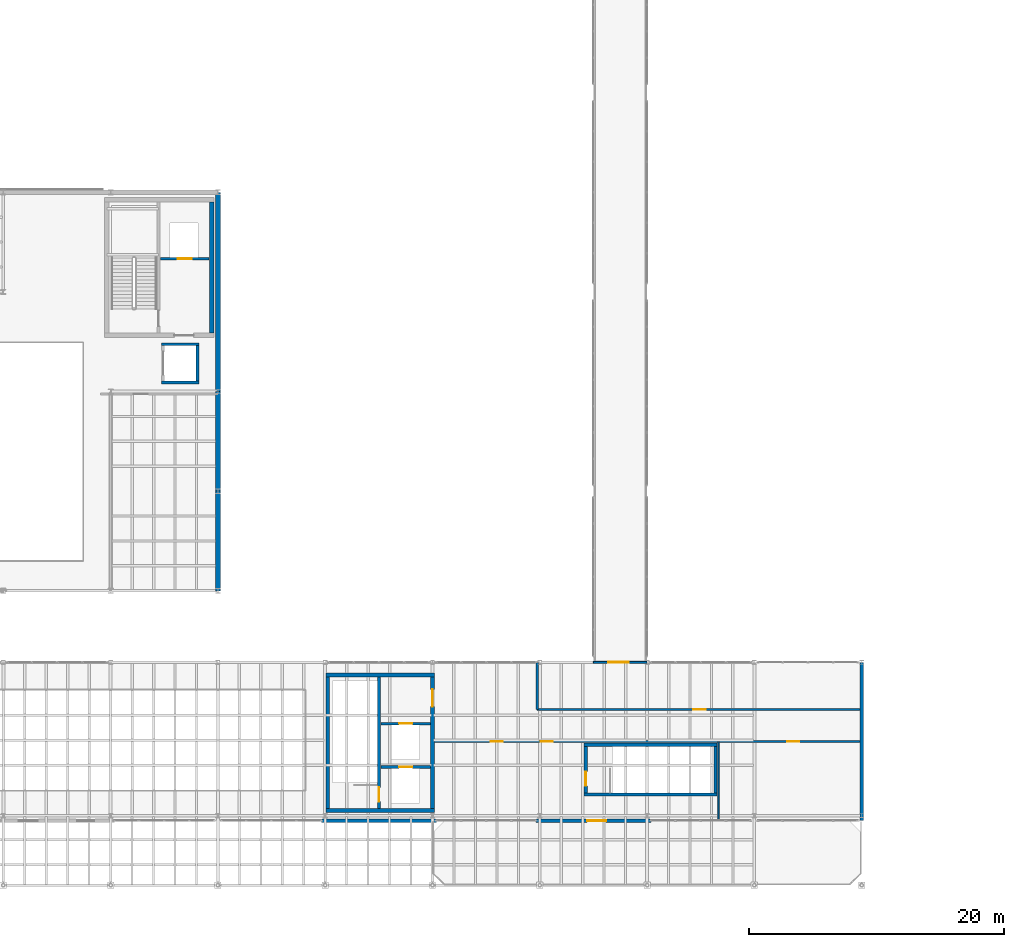
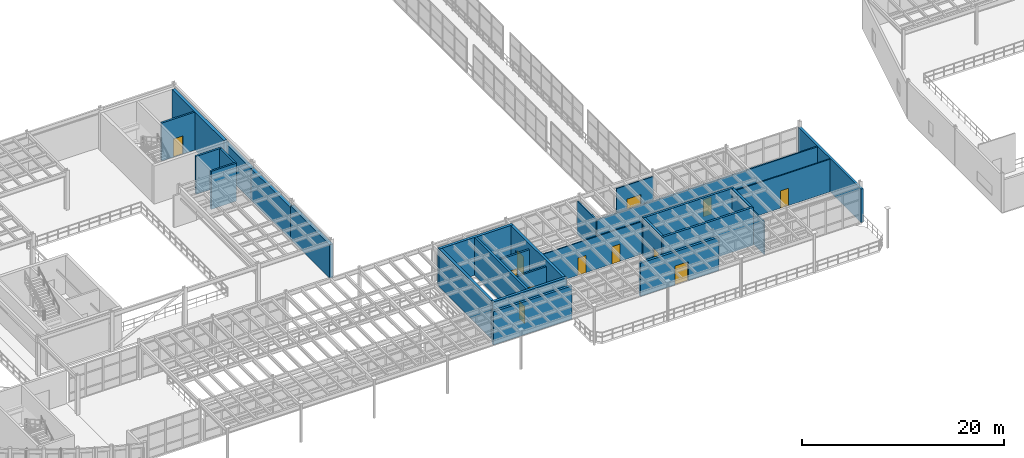
# One storey, part 88 of 105: 27 walls, 12 doors, 12 openings.
"""IFC4 building model written with IfcOpenShell, lengths in metres."""

from ifc_helpers import new_model, si_unit, direction, frame, frame_2d, origin, place, context, subcontext, project, spatial, rectangle, extrude, material, layer, layer_set, type_object, element, fill, save


model = new_model("IFC4")

# Units and contexts
model_context = context("Model", 3, precision=1e-05, world=origin(), true_north=direction((0.0, 1.0)))
body_context = subcontext(model_context, "Body", "Model", "MODEL_VIEW")
ifc_project = project(units=[si_unit("LENGTHUNIT", "METRE"), si_unit("AREAUNIT", "SQUARE_METRE"), si_unit("VOLUMEUNIT", "CUBIC_METRE"), si_unit("PLANEANGLEUNIT", "RADIAN"), si_unit("MASSUNIT", "GRAM", prefix="KILO")], contexts=[model_context])

# Site, building, storey
site_placement = place(None, origin())
site = spatial("IfcSite", under=ifc_project, at=site_placement, CompositionType="ELEMENT")
building_placement = place(site_placement, origin())
building = spatial("IfcBuilding", under=site, at=building_placement, Name="Selat Folded Stagehouse", CompositionType="ELEMENT")
storey_placement = place(building_placement, frame((0.0, 0.0, 10.199951171875)))
storey = spatial("IfcBuildingStorey", under=building, at=storey_placement, Name="L02", CompositionType="ELEMENT", Elevation=10.199951171875)

# Wall, opening, door
ifc_material_1 = material(Name="Concrete C40/50", Category="concrete")
ifc_layer_1 = layer(ifc_material_1, 0.215087890625)
ifc_layer_set_1 = layer_set([ifc_layer_1], Name="Concrete C40/50")
wall_type_1 = type_object("IfcWallType", Name="WAL-COMP-215", PredefinedType="STANDARD", material=ifc_layer_set_1)
wall_1_placement = place(storey_placement, frame((62.7099609375, 49.39990234375, 0.0), z_axis=(0.0, 0.0, 1.0), x_axis=(1.0, 0.0, 0.0)))
wall_1 = element("IfcWall", 1, at=wall_1_placement, inside=storey, type_object=wall_type_1, Name="L02 FL-02 lift shaft front wall", PredefinedType="STANDARD", context=body_context, shape_type="SweptSolid", body=[
    extrude(rectangle(XDim=3.794921875, YDim=0.215087890625, at=frame_2d((1.8974609375, 0.0))), origin(), (0.0, 0.0, 1.0), 4.592041015625),
])
opening_1_placement = place(wall_1_placement, frame((1.347412109375, 0.0, 0.0)))
opening_1 = element("IfcOpeningElement", 2, at=opening_1_placement, cuts=wall_1, Name="Opening LD-01", PredefinedType="OPENING", context=body_context, shape_type="SweptSolid", body=[
    extrude(rectangle(XDim=1.10009765625, YDim=2.199951171875, at=frame_2d((0.550048828125, 1.10009765625))), frame((0.0, 0.117431640625, 0.0), z_axis=(0.0, -1.0, 0.0), x_axis=(1.0, 0.0, 0.0)), (0.0, 0.0, 1.0), 0.235107421875),
])
ifc_material_2 = material(Name="Firefighting lift stainless sliding landing door", Category="wood")
door_type_1 = type_object("IfcDoorType", Name="DOR-LFT-1100", OperationType="NOTDEFINED", PredefinedType="DOOR", material=ifc_material_2)
door_1_placement = place(opening_1_placement, origin())
door_1 = element("IfcDoor", 3, at=door_1_placement, inside=storey, type_object=door_type_1, Name="L02 FL-02 lift sliding landing door", OperationType="SLIDING_TO_RIGHT", OverallHeight=2.199951171875, OverallWidth=1.10009765625, PredefinedType="DOOR", context=body_context, shape_type="SweptSolid", body=[
    extrude(rectangle(XDim=1.10009765625, YDim=2.199951171875, at=frame_2d((0.550048828125, 1.10009765625))), frame((0.0, 0.02490234375, 0.0), z_axis=(0.0, -1.0, 0.0), x_axis=(1.0, 0.0, 0.0)), (0.0, 0.0, 1.0), 0.050048828125),
])
fill(opening_1, door_1)

# Walls
for number, where, z_axis, x_axis, name in (
    (4, (65.70751953125, 39.699951171875, 0.0), (0.0, 0.0, 1.0), (-1.0, 0.0, 0.0), "L02 GL-01 south shaft wall"),
    (5, (62.79248046875, 42.699951171875, 0.0), (0.0, 0.0, 1.0), (1.0, 0.0, 0.0), "L02 GL-01 north shaft wall"),
):
    element("IfcWall", number, at=place(storey_placement, frame(where, z_axis=z_axis, x_axis=x_axis)), inside=storey, type_object=wall_type_1, Name=name, PredefinedType="STANDARD", context=body_context, shape_type="SweptSolid", body=[
        extrude(rectangle(XDim=2.9150390625, YDim=0.215087890625, at=frame_2d((1.45751953125, 0.0))), origin(), (0.0, 0.0, 1.0), 4.592041015625),
    ])
wall_2_placement = place(storey_placement, frame((65.60009765625, 42.592529296875, 0.0), z_axis=(0.0, 0.0, 1.0), x_axis=(0.0, -1.0, 0.0)))
element("IfcWall", 6, at=wall_2_placement, inside=storey, type_object=wall_type_1, Name="L02 GL-01 east shaft wall", PredefinedType="STANDARD", context=body_context, shape_type="SweptSolid", body=[
    extrude(rectangle(XDim=2.784912109375, YDim=0.215087890625, at=frame_2d((1.392578125, 0.0))), origin(), (0.0, 0.0, 1.0), 4.592041015625),
])

# Wall, opening, door
wall_3_placement = place(storey_placement, frame((79.97998046875, 9.60009765625, 0.0), z_axis=(0.0, 0.0, 1.0), x_axis=(1.0, 0.0, 0.0)))
wall_3 = element("IfcWall", 7, at=wall_3_placement, inside=storey, type_object=wall_type_1, Name="L02 PL-01 lift shaft front wall", PredefinedType="STANDARD", context=body_context, shape_type="SweptSolid", body=[
    extrude(rectangle(XDim=3.85009765625, YDim=0.215087890625, at=frame_2d((1.925048828125, 0.0))), origin(), (0.0, 0.0, 1.0), 3.949951171875),
])
opening_2_placement = place(wall_3_placement, frame((1.39990234375, 0.0, 0.0)))
opening_2 = element("IfcOpeningElement", 8, at=opening_2_placement, cuts=wall_3, Name="Opening LD-03", PredefinedType="OPENING", context=body_context, shape_type="SweptSolid", body=[
    extrude(rectangle(XDim=1.050048828125, YDim=2.14990234375, at=frame_2d((0.52490234375, 1.074951171875))), frame((0.0, 0.117431640625, 0.0), z_axis=(0.0, -1.0, 0.0), x_axis=(1.0, 0.0, 0.0)), (0.0, 0.0, 1.0), 0.235107421875),
])
ifc_material_3 = material(Name="Passenger lift stainless sliding landing door", Category="wood")
door_type_2 = type_object("IfcDoorType", Name="DOR-LFT-1050", OperationType="NOTDEFINED", PredefinedType="DOOR", material=ifc_material_3)
door_2_placement = place(opening_2_placement, origin())
door_2 = element("IfcDoor", 9, at=door_2_placement, inside=storey, type_object=door_type_2, Name="L02 PL-01 lift sliding landing door", OperationType="SLIDING_TO_LEFT", OverallHeight=2.14990234375, OverallWidth=1.050048828125, PredefinedType="DOOR", context=body_context, shape_type="SweptSolid", body=[
    extrude(rectangle(XDim=1.050048828125, YDim=2.14990234375, at=frame_2d((0.52490234375, 1.074951171875))), frame((0.0, 0.02490234375, 0.0), z_axis=(0.0, -1.0, 0.0), x_axis=(1.0, 0.0, 0.0)), (0.0, 0.0, 1.0), 0.050048828125),
])
fill(opening_2, door_2)

wall_4_placement = place(storey_placement, frame((79.97998046875, 13.0, 0.0), z_axis=(0.0, 0.0, 1.0), x_axis=(1.0, 0.0, 0.0)))
wall_4 = element("IfcWall", 10, at=wall_4_placement, inside=storey, type_object=wall_type_1, Name="L02 PL-02 lift shaft front wall", PredefinedType="STANDARD", context=body_context, shape_type="SweptSolid", body=[
    extrude(rectangle(XDim=3.85009765625, YDim=0.215087890625, at=frame_2d((1.925048828125, 0.0))), origin(), (0.0, 0.0, 1.0), 3.949951171875),
])
opening_3_placement = place(wall_4_placement, frame((1.39990234375, 0.0, 0.0)))
opening_3 = element("IfcOpeningElement", 11, at=opening_3_placement, cuts=wall_4, Name="Opening LD-03", PredefinedType="OPENING", context=body_context, shape_type="SweptSolid", body=[
    extrude(rectangle(XDim=1.050048828125, YDim=2.14990234375, at=frame_2d((0.52490234375, 1.074951171875))), frame((0.0, 0.117431640625, 0.0), z_axis=(0.0, -1.0, 0.0), x_axis=(1.0, 0.0, 0.0)), (0.0, 0.0, 1.0), 0.235107421875),
])
door_3_placement = place(opening_3_placement, origin())
door_3 = element("IfcDoor", 12, at=door_3_placement, inside=storey, type_object=door_type_2, Name="L02 PL-02 lift sliding landing door", OperationType="SLIDING_TO_RIGHT", OverallHeight=2.14990234375, OverallWidth=1.050048828125, PredefinedType="DOOR", context=body_context, shape_type="SweptSolid", body=[
    extrude(rectangle(XDim=1.050048828125, YDim=2.14990234375, at=frame_2d((0.52490234375, 1.074951171875))), frame((0.0, 0.02490234375, 0.0), z_axis=(0.0, -1.0, 0.0), x_axis=(1.0, 0.0, 0.0)), (0.0, 0.0, 1.0), 0.050048828125),
])
fill(opening_3, door_3)

# Walls
ifc_material_4 = material(Name="Concrete C50/60", Category="concrete")
ifc_layer_2 = layer(ifc_material_4, 0.25)
ifc_layer_set_2 = layer_set([ifc_layer_2], Name="Concrete C50/60")
wall_type_2 = type_object("IfcWallType", Name="WAL-CORE-250", PredefinedType="SHEAR", material=ifc_layer_set_2)
for number, where, z_axis, x_axis, name in (
    (13, (106.284912109375, 7.4599609375, 0.0), (0.0, 0.0, 1.0), (-1.0, 0.0, 0.0), "L02 ST-08 south shaft wall"),
    (14, (95.875, 11.340087890625, 0.0), (0.0, 0.0, 1.0), (1.0, 0.0, 0.0), "L02 ST-08 north shaft wall"),
):
    element("IfcWall", number, at=place(storey_placement, frame(where, z_axis=z_axis, x_axis=x_axis)), inside=storey, type_object=wall_type_2, Name=name, PredefinedType="SHEAR", context=body_context, shape_type="SweptSolid", body=[
        extrude(rectangle(XDim=10.409912109375, YDim=0.25, at=frame_2d((5.205078125, 0.0))), origin(), (0.0, 0.0, 1.0), 4.60009765625),
    ])

# Wall, opening, door
wall_5_placement = place(storey_placement, frame((96.0, 7.5849609375, 0.0), z_axis=(0.0, 0.0, 1.0), x_axis=(0.0, 1.0, 0.0)))
wall_5 = element("IfcWall", 15, at=wall_5_placement, inside=storey, type_object=wall_type_2, Name="L02 ST-08 west shaft wall", PredefinedType="SHEAR", context=body_context, shape_type="SweptSolid", body=[
    extrude(rectangle(XDim=3.630126953125, YDim=0.25, at=frame_2d((1.81494140625, 0.0))), origin(), (0.0, 0.0, 1.0), 4.60009765625),
])
opening_4_placement = place(wall_5_placement, frame((0.550048828125, 0.0, 0.0)))
opening_4 = element("IfcOpeningElement", 16, at=opening_4_placement, cuts=wall_5, Name="Opening FD-60", PredefinedType="OPENING", context=body_context, shape_type="SweptSolid", body=[
    extrude(rectangle(XDim=1.10009765625, YDim=2.14990234375, at=frame_2d((0.550048828125, 1.074951171875))), frame((0.0, 0.135009765625, 0.0), z_axis=(0.0, -1.0, 0.0), x_axis=(1.0, 0.0, 0.0)), (0.0, 0.0, 1.0), 0.27001953125),
])
ifc_material_5 = material(Name="Fire-rated timber core door", Category="wood")
door_type_3 = type_object("IfcDoorType", Name="DOR-FIRE-60", OperationType="NOTDEFINED", PredefinedType="DOOR", material=ifc_material_5)
door_4_placement = place(opening_4_placement, origin())
door_4 = element("IfcDoor", 17, at=door_4_placement, inside=storey, type_object=door_type_3, Name="L02 ST-08 stair door", OperationType="SINGLE_SWING_RIGHT", OverallHeight=2.14990234375, OverallWidth=1.10009765625, PredefinedType="DOOR", context=body_context, shape_type="SweptSolid", body=[
    extrude(rectangle(XDim=1.10009765625, YDim=2.14990234375, at=frame_2d((0.550048828125, 1.074951171875))), frame((0.0, 0.02490234375, 0.0), z_axis=(0.0, -1.0, 0.0), x_axis=(1.0, 0.0, 0.0)), (0.0, 0.0, 1.0), 0.050048828125),
])
fill(opening_4, door_4)

# Wall
wall_6_placement = place(storey_placement, frame((106.159912109375, 11.215087890625, 0.0), z_axis=(0.0, 0.0, 1.0), x_axis=(0.0, -1.0, 0.0)))
element("IfcWall", 18, at=wall_6_placement, inside=storey, type_object=wall_type_2, Name="L02 ST-08 east shaft wall", PredefinedType="SHEAR", context=body_context, shape_type="SweptSolid", body=[
    extrude(rectangle(XDim=3.630126953125, YDim=0.25, at=frame_2d((1.81494140625, 0.0))), origin(), (0.0, 0.0, 1.0), 4.60009765625),
])

# Wall, opening, door
wall_7_placement = place(storey_placement, frame((79.820068359375, 16.64990234375, 0.0), z_axis=(0.0, 0.0, 1.0), x_axis=(0.0, -1.0, 0.0)))
wall_7 = element("IfcWall", 19, at=wall_7_placement, inside=storey, type_object=wall_type_2, Name="L02 CR-3 internal core divider wall", PredefinedType="SHEAR", context=body_context, shape_type="SweptSolid", body=[
    extrude(rectangle(XDim=10.2998046875, YDim=0.25, at=frame_2d((5.14990234375, 0.0))), origin(), (0.0, 0.0, 1.0), 4.60009765625),
])
opening_5_placement = place(wall_7_placement, frame((8.64990234375, 0.0, 0.0)))
opening_5 = element("IfcOpeningElement", 20, at=opening_5_placement, cuts=wall_7, Name="Opening FD-60", PredefinedType="OPENING", context=body_context, shape_type="SweptSolid", body=[
    extrude(rectangle(XDim=1.10009765625, YDim=2.14990234375, at=frame_2d((0.550048828125, 1.074951171875))), frame((0.0, 0.135009765625, 0.0), z_axis=(0.0, -1.0, 0.0), x_axis=(1.0, 0.0, 0.0)), (0.0, 0.0, 1.0), 0.27001953125),
])
door_5_placement = place(opening_5_placement, origin())
door_5 = element("IfcDoor", 21, at=door_5_placement, inside=storey, type_object=door_type_3, Name="L02 CR-3 protected stair fire door", OperationType="SINGLE_SWING_LEFT", OverallHeight=2.14990234375, OverallWidth=1.10009765625, PredefinedType="DOOR", context=body_context, shape_type="SweptSolid", body=[
    extrude(rectangle(XDim=1.10009765625, YDim=2.14990234375, at=frame_2d((0.550048828125, 1.074951171875))), frame((0.0, 0.02490234375, 0.0), z_axis=(0.0, -1.0, 0.0), x_axis=(1.0, 0.0, 0.0)), (0.0, 0.0, 1.0), 0.050048828125),
])
fill(opening_5, door_5)

# Wall
ifc_material_6 = material(Name="Precast concrete C40/50", Category="concrete")
ifc_layer_3 = layer(ifc_material_6, 0.27490234375)
ifc_layer_set_3 = layer_set([ifc_layer_3], Name="Precast concrete C40/50")
wall_type_3 = type_object("IfcWallType", Name="WAL-EXT-275", PredefinedType="STANDARD", material=ifc_layer_set_3)
wall_8_placement = place(storey_placement, frame((84.300048828125, 5.39990234375, 0.0), z_axis=(0.0, 0.0, 1.0), x_axis=(-1.0, 0.0, 0.0)))
element("IfcWall", 22, at=wall_8_placement, inside=storey, type_object=wall_type_3, Name="L02 exterior facade wall EW-L02-FYR-S2", PredefinedType="STANDARD", context=body_context, shape_type="SweptSolid", body=[
    extrude(rectangle(XDim=9.0, YDim=0.27490234375, at=frame_2d((4.5, 0.0))), origin(), (0.0, 0.0, 1.0), 4.027587890625),
])

# Wall, opening, door
wall_9_placement = place(storey_placement, frame((101.10009765625, 5.39990234375, 0.0), z_axis=(0.0, 0.0, 1.0), x_axis=(-1.0, 0.0, 0.0)))
wall_9 = element("IfcWall", 23, at=wall_9_placement, inside=storey, type_object=wall_type_3, Name="L02 exterior facade wall EW-L02-TERR-DR", PredefinedType="STANDARD", context=body_context, shape_type="SweptSolid", body=[
    extrude(rectangle(XDim=9.0, YDim=0.27490234375, at=frame_2d((4.5, 0.0))), origin(), (0.0, 0.0, 1.0), 4.027587890625),
])
opening_6_placement = place(wall_9_placement, frame((3.5, 0.0, 0.0)))
opening_6 = element("IfcOpeningElement", 24, at=opening_6_placement, cuts=wall_9, Name="Opening ED-06", PredefinedType="OPENING", context=body_context, shape_type="SweptSolid", body=[
    extrude(rectangle(XDim=1.5, YDim=2.300048828125, at=frame_2d((0.75, 1.14990234375))), frame((0.0, 0.1474609375, 0.0), z_axis=(0.0, -1.0, 0.0), x_axis=(1.0, 0.0, 0.0)), (0.0, 0.0, 1.0), 0.294921875),
])
ifc_material_7 = material(Name="Powder-coated steel and laminated safety glass", Category="steel")
door_type_4 = type_object("IfcDoorType", Name="DOR-EXT-1500x2300", OperationType="NOTDEFINED", PredefinedType="DOOR", material=ifc_material_7)
door_6_placement = place(opening_6_placement, origin())
door_6 = element("IfcDoor", 25, at=door_6_placement, inside=storey, type_object=door_type_4, Name="L02 exterior door EW-L02-TERR-DR-1", OperationType="SINGLE_SWING_LEFT", OverallHeight=2.300048828125, OverallWidth=1.5, PredefinedType="DOOR", context=body_context, shape_type="SweptSolid", body=[
    extrude(rectangle(XDim=1.5, YDim=2.300048828125, at=frame_2d((0.75, 1.14990234375))), frame((0.0, 0.02490234375, 0.0), z_axis=(0.0, -1.0, 0.0), x_axis=(1.0, 0.0, 0.0)), (0.0, 0.0, 1.0), 0.050048828125),
])
fill(opening_6, door_6)

# Walls
wall_10_placement = place(storey_placement, frame((117.60009765625, 17.800048828125, 0.0), z_axis=(0.0, 0.0, 1.0), x_axis=(0.0, -1.0, 0.0)))
element("IfcWall", 26, at=wall_10_placement, inside=storey, type_object=wall_type_3, Name="L02 exterior facade wall EW-L02-FYR-E", PredefinedType="STANDARD", context=body_context, shape_type="SweptSolid", body=[
    extrude(rectangle(XDim=12.400146484375, YDim=0.27490234375, at=frame_2d((6.2001953125, 0.0))), origin(), (0.0, 0.0, 1.0), 4.033935546875),
])
ifc_layer_4 = layer(ifc_material_6, 0.3798828125)
ifc_layer_set_4 = layer_set([ifc_layer_4], Name="Precast concrete C40/50")
wall_type_4 = type_object("IfcWallType", Name="WAL-EXT-380", PredefinedType="STANDARD", material=ifc_layer_set_4)
wall_11_placement = place(storey_placement, frame((67.199951171875, 54.60009765625, 0.0), z_axis=(0.0, 0.0, 1.0), x_axis=(0.0, -1.0, 0.0)))
element("IfcWall", 27, at=wall_11_placement, inside=storey, type_object=wall_type_4, Name="L02 exterior facade wall EW-L02-V2E-39", PredefinedType="STANDARD", context=body_context, shape_type="SweptSolid", body=[
    extrude(rectangle(XDim=15.60009765625, YDim=0.3798828125, at=frame_2d((7.800048828125, 0.0))), origin(), (0.0, 0.0, 1.0), 3.822265625),
])
wall_12_placement = place(storey_placement, frame((67.199951171875, 39.0, 0.0), z_axis=(0.0, 0.0, 1.0), x_axis=(0.0, -1.0, 0.0)))
element("IfcWall", 28, at=wall_12_placement, inside=storey, type_object=wall_type_4, Name="L02 exterior facade wall EW-L02-V2E-31", PredefinedType="STANDARD", context=body_context, shape_type="SweptSolid", body=[
    extrude(rectangle(XDim=7.800048828125, YDim=0.3798828125, at=frame_2d((3.89990234375, 0.0))), origin(), (0.0, 0.0, 1.0), 3.822265625),
])
wall_13_placement = place(storey_placement, frame((67.199951171875, 31.199951171875, 0.0), z_axis=(0.0, 0.0, 1.0), x_axis=(0.0, -1.0, 0.0)))
element("IfcWall", 29, at=wall_13_placement, inside=storey, type_object=wall_type_4, Name="L02 exterior facade wall EW-L02-V2E-23", PredefinedType="STANDARD", context=body_context, shape_type="SweptSolid", body=[
    extrude(rectangle(XDim=7.800048828125, YDim=0.3798828125, at=frame_2d((3.89990234375, 0.0))), origin(), (0.0, 0.0, 1.0), 4.052734375),
])
ifc_material_8 = material(Name="Standard acoustic drywall partition", Category="gypsum")
ifc_layer_5 = layer(ifc_material_8, 0.125)
ifc_layer_set_5 = layer_set([ifc_layer_5], Name="Standard acoustic drywall partition")
wall_type_5 = type_object("IfcWallType", Name="WAL-PART-125", PredefinedType="PARTITIONING", material=ifc_layer_set_5)
wall_14_placement = place(storey_placement, frame((106.39990234375, 5.39990234375, 0.0), z_axis=(0.0, 0.0, 1.0), x_axis=(0.0, 1.0, 0.0)))
element("IfcWall", 30, at=wall_14_placement, inside=storey, type_object=wall_type_5, Name="L02 interior partition wall 071", PredefinedType="PARTITIONING", context=body_context, shape_type="SweptSolid", body=[
    extrude(rectangle(XDim=6.2001953125, YDim=0.125, at=frame_2d((3.10009765625, 0.0))), origin(), (0.0, 0.0, 1.0), 4.033935546875),
])

# Wall, openings, doors
wall_15_placement = place(storey_placement, frame((84.0, 11.60009765625, 0.0), z_axis=(0.0, 0.0, 1.0), x_axis=(1.0, 0.0, 0.0)))
wall_15 = element("IfcWall", 31, at=wall_15_placement, inside=storey, type_object=wall_type_5, Name="L02 interior partition wall 072", PredefinedType="PARTITIONING", context=body_context, shape_type="SweptSolid", body=[
    extrude(rectangle(XDim=33.60009765625, YDim=0.125, at=frame_2d((16.800048828125, 0.0))), origin(), (0.0, 0.0, 1.0), 3.949951171875),
])
opening_7_placement = place(wall_15_placement, frame((4.572509765625, 0.0, 0.0)))
opening_7 = element("IfcOpeningElement", 32, at=opening_7_placement, cuts=wall_15, Name="Opening ID-03", PredefinedType="OPENING", context=body_context, shape_type="SweptSolid", body=[
    extrude(rectangle(XDim=0.93994140625, YDim=2.10009765625, at=frame_2d((0.469970703125, 1.050048828125))), frame((0.0, 0.072509765625, 0.0), z_axis=(0.0, -1.0, 0.0), x_axis=(1.0, 0.0, 0.0)), (0.0, 0.0, 1.0), 0.14501953125),
])
opening_8_placement = place(wall_15_placement, frame((8.49169921875, 0.0, 0.0)))
opening_8 = element("IfcOpeningElement", 33, at=opening_8_placement, cuts=wall_15, Name="Opening ID-03", PredefinedType="OPENING", context=body_context, shape_type="SweptSolid", body=[
    extrude(rectangle(XDim=0.93994140625, YDim=2.10009765625, at=frame_2d((0.469970703125, 1.050048828125))), frame((0.0, 0.072509765625, 0.0), z_axis=(0.0, -1.0, 0.0), x_axis=(1.0, 0.0, 0.0)), (0.0, 0.0, 1.0), 0.14501953125),
])
opening_9_placement = place(wall_15_placement, frame((27.760986328125, 0.0, 0.0)))
opening_9 = element("IfcOpeningElement", 34, at=opening_9_placement, cuts=wall_15, Name="Opening ID-03", PredefinedType="OPENING", context=body_context, shape_type="SweptSolid", body=[
    extrude(rectangle(XDim=0.93994140625, YDim=2.10009765625, at=frame_2d((0.469970703125, 1.050048828125))), frame((0.0, 0.072509765625, 0.0), z_axis=(0.0, -1.0, 0.0), x_axis=(1.0, 0.0, 0.0)), (0.0, 0.0, 1.0), 0.14501953125),
])
ifc_material_9 = material(Name="Backstage room single door", Category="wood")
door_type_5 = type_object("IfcDoorType", Name="DOR-GEN-0940", OperationType="NOTDEFINED", PredefinedType="DOOR", material=ifc_material_9)
door_7_placement = place(opening_7_placement, origin())
door_7 = element("IfcDoor", 35, at=door_7_placement, inside=storey, type_object=door_type_5, Name="L02 interior door IWAL-L02-072-1", OperationType="SINGLE_SWING_RIGHT", OverallHeight=2.10009765625, OverallWidth=0.93994140625, PredefinedType="DOOR", context=body_context, shape_type="SweptSolid", body=[
    extrude(rectangle(XDim=0.93994140625, YDim=2.10009765625, at=frame_2d((0.469970703125, 1.050048828125))), frame((0.0, 0.02490234375, 0.0), z_axis=(0.0, -1.0, 0.0), x_axis=(1.0, 0.0, 0.0)), (0.0, 0.0, 1.0), 0.050048828125),
])
fill(opening_7, door_7)
door_8_placement = place(opening_8_placement, origin())
door_8 = element("IfcDoor", 36, at=door_8_placement, inside=storey, type_object=door_type_5, Name="L02 interior door IWAL-L02-072-2", OperationType="SINGLE_SWING_LEFT", OverallHeight=2.10009765625, OverallWidth=0.93994140625, PredefinedType="DOOR", context=body_context, shape_type="SweptSolid", body=[
    extrude(rectangle(XDim=0.93994140625, YDim=2.10009765625, at=frame_2d((0.469970703125, 1.050048828125))), frame((0.0, 0.02490234375, 0.0), z_axis=(0.0, -1.0, 0.0), x_axis=(1.0, 0.0, 0.0)), (0.0, 0.0, 1.0), 0.050048828125),
])
fill(opening_8, door_8)
door_9_placement = place(opening_9_placement, origin())
door_9 = element("IfcDoor", 37, at=door_9_placement, inside=storey, type_object=door_type_5, Name="L02 interior door IWAL-L02-072-3", OperationType="SINGLE_SWING_RIGHT", OverallHeight=2.10009765625, OverallWidth=0.93994140625, PredefinedType="DOOR", context=body_context, shape_type="SweptSolid", body=[
    extrude(rectangle(XDim=0.93994140625, YDim=2.10009765625, at=frame_2d((0.469970703125, 1.050048828125))), frame((0.0, 0.02490234375, 0.0), z_axis=(0.0, -1.0, 0.0), x_axis=(1.0, 0.0, 0.0)), (0.0, 0.0, 1.0), 0.050048828125),
])
fill(opening_9, door_9)

# Wall, opening, door
ifc_material_10 = material(Name="Fire-rated drywall stud partition", Category="gypsum")
ifc_layer_6 = layer(ifc_material_10, 0.14990234375)
ifc_layer_set_6 = layer_set([ifc_layer_6], Name="Fire-rated drywall stud partition")
wall_type_6 = type_object("IfcWallType", Name="WAL-PART-150", PredefinedType="PARTITIONING", material=ifc_layer_set_6)
wall_16_placement = place(storey_placement, frame((96.60009765625, 17.800048828125, 0.0), z_axis=(0.0, 0.0, 1.0), x_axis=(1.0, 0.0, 0.0)))
wall_16 = element("IfcWall", 38, at=wall_16_placement, inside=storey, type_object=wall_type_6, Name="L02 interior partition wall 069", PredefinedType="PARTITIONING", context=body_context, shape_type="SweptSolid", body=[
    extrude(rectangle(XDim=4.199951171875, YDim=0.14990234375, at=frame_2d((2.10009765625, 0.0))), origin(), (0.0, 0.0, 1.0), 3.949951171875),
])
opening_10_placement = place(wall_16_placement, frame((1.169921875, 0.0, 0.0)))
opening_10 = element("IfcOpeningElement", 39, at=opening_10_placement, cuts=wall_16, Name="Opening RD-01", PredefinedType="OPENING", context=body_context, shape_type="SweptSolid", body=[
    extrude(rectangle(XDim=1.60009765625, YDim=2.25, at=frame_2d((0.800048828125, 1.125))), frame((0.0, 0.0849609375, 0.0), z_axis=(0.0, -1.0, 0.0), x_axis=(1.0, 0.0, 0.0)), (0.0, 0.0, 1.0), 0.169921875),
])
ifc_material_11 = material(Name="Rehearsal studio acoustic leaf-and-half door", Category="wood")
door_type_6 = type_object("IfcDoorType", Name="DOR-REH-1600", OperationType="NOTDEFINED", PredefinedType="DOOR", material=ifc_material_11)
door_10_placement = place(opening_10_placement, origin())
door_10 = element("IfcDoor", 40, at=door_10_placement, inside=storey, type_object=door_type_6, Name="L02 interior door IWAL-L02-069-1", OperationType="SINGLE_SWING_LEFT", OverallHeight=2.25, OverallWidth=1.60009765625, PredefinedType="DOOR", context=body_context, shape_type="SweptSolid", body=[
    extrude(rectangle(XDim=1.60009765625, YDim=2.25, at=frame_2d((0.800048828125, 1.125))), frame((0.0, 0.02490234375, 0.0), z_axis=(0.0, -1.0, 0.0), x_axis=(1.0, 0.0, 0.0)), (0.0, 0.0, 1.0), 0.050048828125),
])
fill(opening_10, door_10)

ifc_material_12 = material(Name="Moisture-resistant sanitary service wall", Category="gypsum")
ifc_layer_7 = layer(ifc_material_12, 0.159912109375)
ifc_layer_set_7 = layer_set([ifc_layer_7], Name="Moisture-resistant sanitary service wall")
wall_type_7 = type_object("IfcWallType", Name="WAL-PLMB-160", PredefinedType="PLUMBINGWALL", material=ifc_layer_set_7)
wall_17_placement = place(storey_placement, frame((92.199951171875, 14.10009765625, 0.0), z_axis=(0.0, 0.0, 1.0), x_axis=(1.0, 0.0, 0.0)))
wall_17 = element("IfcWall", 41, at=wall_17_placement, inside=storey, type_object=wall_type_7, Name="L02 interior partition wall 073", PredefinedType="PLUMBINGWALL", context=body_context, shape_type="SweptSolid", body=[
    extrude(rectangle(XDim=25.400146484375, YDim=0.159912109375, at=frame_2d((12.7001953125, 0.0))), origin(), (0.0, 0.0, 1.0), 3.949951171875),
])
opening_11_placement = place(wall_17_placement, frame((12.22509765625, 0.0, 0.0)))
opening_11 = element("IfcOpeningElement", 42, at=opening_11_placement, cuts=wall_17, Name="Opening ID-04", PredefinedType="OPENING", context=body_context, shape_type="SweptSolid", body=[
    extrude(rectangle(XDim=0.949951171875, YDim=2.10009765625, at=frame_2d((0.47509765625, 1.050048828125))), frame((0.0, 0.08984375, 0.0), z_axis=(0.0, -1.0, 0.0), x_axis=(1.0, 0.0, 0.0)), (0.0, 0.0, 1.0), 0.179931640625),
])
ifc_material_13 = material(Name="Accessible toilet outward-opening door", Category="wood")
door_type_7 = type_object("IfcDoorType", Name="DOR-WC-0950", OperationType="NOTDEFINED", PredefinedType="DOOR", material=ifc_material_13)
door_11_placement = place(opening_11_placement, origin())
door_11 = element("IfcDoor", 43, at=door_11_placement, inside=storey, type_object=door_type_7, Name="L02 interior door IWAL-L02-073-1", OperationType="SINGLE_SWING_LEFT", OverallHeight=2.10009765625, OverallWidth=0.949951171875, PredefinedType="DOOR", context=body_context, shape_type="SweptSolid", body=[
    extrude(rectangle(XDim=0.949951171875, YDim=2.10009765625, at=frame_2d((0.47509765625, 1.050048828125))), frame((0.0, 0.02490234375, 0.0), z_axis=(0.0, -1.0, 0.0), x_axis=(1.0, 0.0, 0.0)), (0.0, 0.0, 1.0), 0.050048828125),
])
fill(opening_11, door_11)

# Walls
wall_18_placement = place(storey_placement, frame((92.199951171875, 14.10009765625, 0.0), z_axis=(0.0, 0.0, 1.0), x_axis=(0.0, 1.0, 0.0)))
element("IfcWall", 44, at=wall_18_placement, inside=storey, type_object=wall_type_7, Name="L02 interior partition wall 074", PredefinedType="PLUMBINGWALL", context=body_context, shape_type="SweptSolid", body=[
    extrude(rectangle(XDim=3.699951171875, YDim=0.159912109375, at=frame_2d((1.85009765625, 0.0))), origin(), (0.0, 0.0, 1.0), 3.949951171875),
])
ifc_layer_8 = layer(ifc_material_4, 0.300048828125)
ifc_layer_set_8 = layer_set([ifc_layer_8], Name="Concrete C50/60")
wall_type_8 = type_object("IfcWallType", Name="WAL-SW-300", PredefinedType="SHEAR", material=ifc_layer_set_8)
for number, where, z_axis, x_axis, name in (
    (45, (84.14990234375, 6.199951171875, 0.0), (0.0, 0.0, 1.0), (-1.0, 0.0, 0.0), "L02 CR-3 south shear wall"),
    (46, (75.64990234375, 16.800048828125, 0.0), (0.0, 0.0, 1.0), (1.0, 0.0, 0.0), "L02 CR-3 north shear wall"),
):
    element("IfcWall", number, at=place(storey_placement, frame(where, z_axis=z_axis, x_axis=x_axis)), inside=storey, type_object=wall_type_8, Name=name, PredefinedType="SHEAR", context=body_context, shape_type="SweptSolid", body=[
        extrude(rectangle(XDim=8.5, YDim=0.300048828125, at=frame_2d((4.25, 0.0))), origin(), (0.0, 0.0, 1.0), 4.60009765625),
    ])
wall_19_placement = place(storey_placement, frame((75.800048828125, 6.35009765625, 0.0), z_axis=(0.0, 0.0, 1.0), x_axis=(0.0, 1.0, 0.0)))
element("IfcWall", 47, at=wall_19_placement, inside=storey, type_object=wall_type_8, Name="L02 CR-3 west shear wall", PredefinedType="SHEAR", context=body_context, shape_type="SweptSolid", body=[
    extrude(rectangle(XDim=10.2998046875, YDim=0.300048828125, at=frame_2d((5.14990234375, 0.0))), origin(), (0.0, 0.0, 1.0), 4.60009765625),
])

# Wall, opening, door
wall_20_placement = place(storey_placement, frame((84.0, 16.64990234375, 0.0), z_axis=(0.0, 0.0, 1.0), x_axis=(0.0, -1.0, 0.0)))
wall_20 = element("IfcWall", 48, at=wall_20_placement, inside=storey, type_object=wall_type_8, Name="L02 CR-3 east shear wall", PredefinedType="SHEAR", context=body_context, shape_type="SweptSolid", body=[
    extrude(rectangle(XDim=10.2998046875, YDim=0.300048828125, at=frame_2d((5.14990234375, 0.0))), origin(), (0.0, 0.0, 1.0), 4.60009765625),
])
opening_12_placement = place(wall_20_placement, frame((0.97509765625, 0.0, 0.0)))
opening_12 = element("IfcOpeningElement", 49, at=opening_12_placement, cuts=wall_20, Name="Opening FD-60B", PredefinedType="OPENING", context=body_context, shape_type="SweptSolid", body=[
    extrude(rectangle(XDim=1.35009765625, YDim=2.14990234375, at=frame_2d((0.675048828125, 1.074951171875))), frame((0.0, 0.159912109375, 0.0), z_axis=(0.0, -1.0, 0.0), x_axis=(1.0, 0.0, 0.0)), (0.0, 0.0, 1.0), 0.320068359375),
])
ifc_material_14 = material(Name="Protected stair escape door", Category="wood")
door_type_8 = type_object("IfcDoorType", Name="DOR-STR-1350", OperationType="NOTDEFINED", PredefinedType="DOOR", material=ifc_material_14)
door_12_placement = place(opening_12_placement, origin())
door_12 = element("IfcDoor", 50, at=door_12_placement, inside=storey, type_object=door_type_8, Name="L02 CR-3 core lobby fire door", OperationType="SINGLE_SWING_RIGHT", OverallHeight=2.14990234375, OverallWidth=1.35009765625, PredefinedType="DOOR", context=body_context, shape_type="SweptSolid", body=[
    extrude(rectangle(XDim=1.35009765625, YDim=2.14990234375, at=frame_2d((0.675048828125, 1.074951171875))), frame((0.0, 0.02490234375, 0.0), z_axis=(0.0, -1.0, 0.0), x_axis=(1.0, 0.0, 0.0)), (0.0, 0.0, 1.0), 0.050048828125),
])
fill(opening_12, door_12)

# Wall
ifc_layer_9 = layer(ifc_material_4, 0.35009765625)
ifc_layer_set_9 = layer_set([ifc_layer_9], Name="Concrete C50/60")
wall_type_9 = type_object("IfcWallType", Name="WAL-SW-350", PredefinedType="SHEAR", material=ifc_layer_set_9)
wall_21_placement = place(storey_placement, frame((66.699951171875, 53.824951171875, 0.0), z_axis=(0.0, 0.0, 1.0), x_axis=(0.0, -1.0, 0.0)))
element("IfcWall", 51, at=wall_21_placement, inside=storey, type_object=wall_type_9, Name="L02 CR-2 east shear wall", PredefinedType="SHEAR", context=body_context, shape_type="SweptSolid", body=[
    extrude(rectangle(XDim=10.25, YDim=0.35009765625, at=frame_2d((5.125, 0.0))), origin(), (0.0, 0.0, 1.0), 4.60009765625),
])

save(model, "model.ifc")
